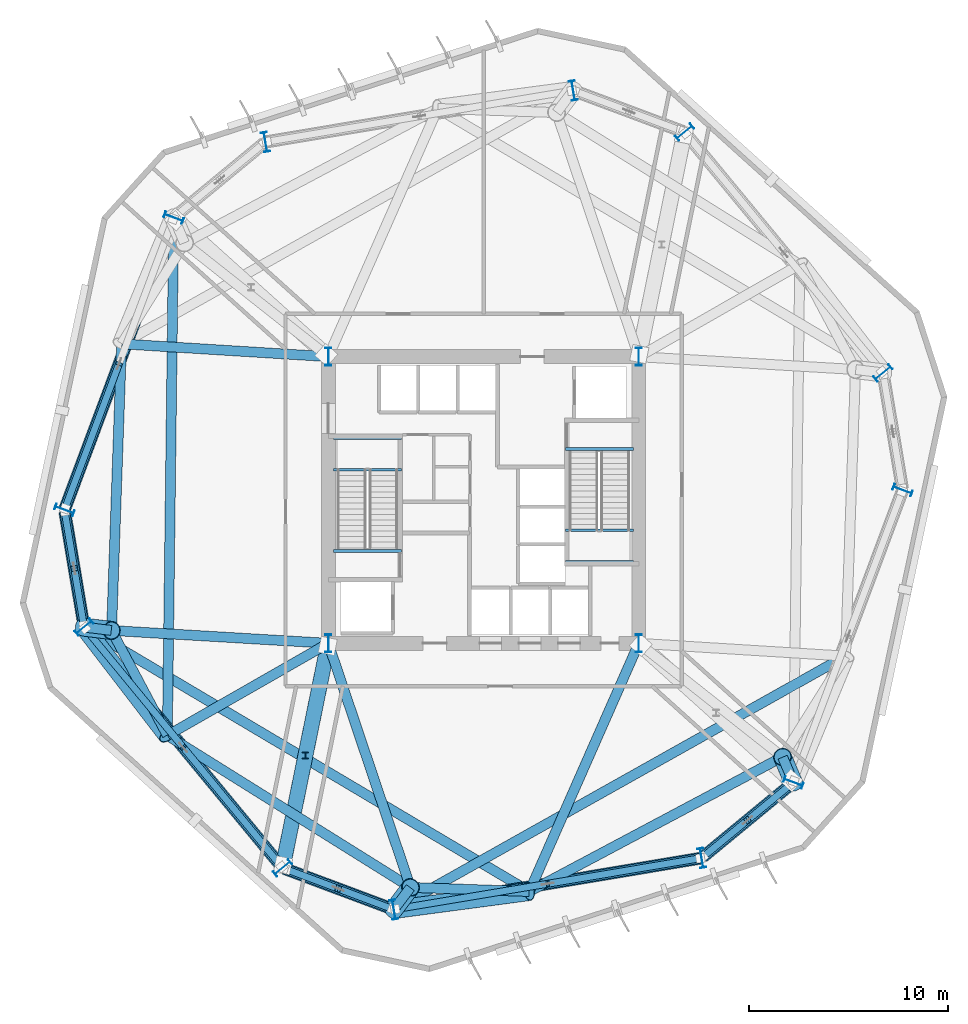
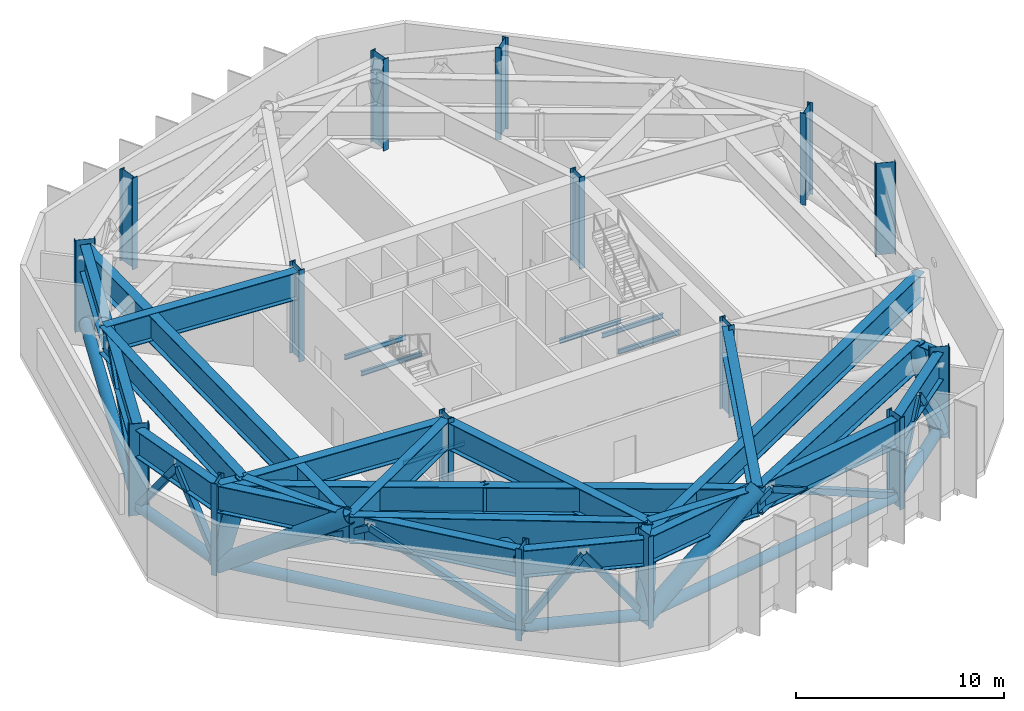
# One storey, part 1 of 12: 28 beams, 24 members, 16 columns.
"""IFC4 building model written with IfcOpenShell, lengths in metres."""

import ifcopenshell
import ifcopenshell.guid

model = None  # the IFC model being written
_history = None  # IfcOwnerHistory: only IFC2X3 demands one
_inside = {}  # id of a spatial element -> (the spatial element, [elements in it])
_under = {}  # id of a project, library or spatial element -> (it, [spatial elements below it])
_declared = {}  # id of a project -> (the project, [libraries it declares])
_typed = {}  # id of a type object -> (the type object, [elements of that type])
_made_of = {}  # id of a material, layer set ... -> (it, [elements and type objects made of it])


def new_model(schema):
    """Start an empty IFC model of exactly this schema.

    Asked for "IFC4X3", IfcOpenShell would pick the latest addendum, in which some entities
    have other attributes; the version numbers below select the first issue.
    IFC2X3 requires an IfcOwnerHistory on every rooted entity: one is made here for all.
    """
    global model, _history
    if schema == "IFC4X3":
        model = ifcopenshell.file(schema_version=(4, 3, 0, 0))
    else:
        model = ifcopenshell.file(schema=schema)
    _inside.clear()
    _under.clear()
    _declared.clear()
    _typed.clear()
    _made_of.clear()
    _history = None
    if model.schema == "IFC2X3":
        org = make("IfcOrganization", Name="unknown")
        user = make(
            "IfcPersonAndOrganization",
            ThePerson=make("IfcPerson", FamilyName="unknown"),
            TheOrganization=org,
        )
        app = make(
            "IfcApplication",
            ApplicationDeveloper=org,
            Version="unknown",
            ApplicationFullName="unknown",
            ApplicationIdentifier="unknown",
        )
        _history = make(
            "IfcOwnerHistory",
            OwningUser=user,
            OwningApplication=app,
            ChangeAction="ADDED",
            CreationDate=0,
        )
    return model


def make(cls, **values):
    """One entity of the class cls with the attributes given. An attribute that is None is left unset."""
    return model.create_entity(
        cls, **{name: value for name, value in values.items() if value is not None}
    )


def rooted(cls, **values):
    """An entity with a GlobalId (a new one), such as an element, a storey or a relation."""
    return make(cls, GlobalId=ifcopenshell.guid.new(), OwnerHistory=_history, **values)


def si_unit(unit_type, name, prefix=None):
    """IfcSIUnit, for example si_unit("LENGTHUNIT", "METRE", prefix="MILLI")."""
    return make("IfcSIUnit", UnitType=unit_type, Prefix=prefix, Name=name)


def assignment(units):
    """IfcUnitAssignment: the units of a project."""
    return None if units is None else make("IfcUnitAssignment", Units=units)


def point(xyz):
    """IfcCartesianPoint."""
    return None if xyz is None else make("IfcCartesianPoint", Coordinates=xyz)


def direction(xyz):
    """IfcDirection."""
    return None if xyz is None else make("IfcDirection", DirectionRatios=xyz)


def frame(location, z_axis=None, x_axis=None):
    """IfcAxis2Placement3D, a coordinate frame: its origin and axes. An axis left out is left unset."""
    return make(
        "IfcAxis2Placement3D",
        Location=point(location),
        Axis=direction(z_axis),
        RefDirection=direction(x_axis),
    )


def frame_2d(location, x_axis=None):
    """IfcAxis2Placement2D, a coordinate frame in the plane: its origin and x axis."""
    return make(
        "IfcAxis2Placement2D", Location=point(location), RefDirection=direction(x_axis)
    )


def origin():
    """The frame at (0, 0, 0) with its axes left unset."""
    return frame((0.0, 0.0, 0.0))


def origin_2d():
    """The frame at (0, 0) in the plane with its x axis left unset."""
    return frame_2d((0.0, 0.0))


def place(relative_to, where):
    """IfcLocalPlacement: puts the frame where relative to a parent placement (None: the world)."""
    return make(
        "IfcLocalPlacement", PlacementRelTo=relative_to, RelativePlacement=where
    )


def context(
    kind, dimensions, precision=None, world=None, true_north=None, identifier=None
):
    """IfcGeometricRepresentationContext, for example the 3D "Model" context."""
    return make(
        "IfcGeometricRepresentationContext",
        ContextIdentifier=identifier,
        ContextType=kind,
        CoordinateSpaceDimension=dimensions,
        Precision=precision,
        WorldCoordinateSystem=world,
        TrueNorth=true_north,
    )


def subcontext(parent, identifier, kind, view, scale=None):
    """IfcGeometricRepresentationSubContext, for example "Body" below "Model"."""
    return make(
        "IfcGeometricRepresentationSubContext",
        ContextIdentifier=identifier,
        ContextType=kind,
        ParentContext=parent,
        TargetScale=scale,
        TargetView=view,
    )


def project(units=None, contexts=None):
    """IfcProject with its units and contexts."""
    return rooted(
        "IfcProject",
        Name="project",
        RepresentationContexts=contexts,
        UnitsInContext=assignment(units),
    )


def spatial(cls, under=None, at=None, **own):
    """A site, building, storey or space (cls), placed at a placement, below another one or the project."""
    s = rooted(cls, ObjectPlacement=at, **own)
    if under is not None:
        _under.setdefault(under.id(), (under, []))[1].append(s)
    return s


def profile(cls, at=None, kind="AREA", **sizes):
    """A parametric profile (cls). Its sizes go by their IFC names, for example OverallWidth=200.0."""
    return make(cls, ProfileType=kind, Position=at, **sizes)


def hollow_rectangle(**sizes):
    """IfcRectangleHollowProfileDef."""
    return profile("IfcRectangleHollowProfileDef", **sizes)


def hollow_circle(**sizes):
    """IfcCircleHollowProfileDef."""
    return profile("IfcCircleHollowProfileDef", **sizes)


def i_section(**sizes):
    """IfcIShapeProfileDef."""
    return profile("IfcIShapeProfileDef", **sizes)


def extrude(swept, where, along, depth):
    """IfcExtrudedAreaSolid: the profile swept, set in the frame where, extruded along a direction by depth."""
    return make(
        "IfcExtrudedAreaSolid",
        SweptArea=swept,
        Position=where,
        ExtrudedDirection=direction(along),
        Depth=depth,
    )


def shape(context_of_items, identifier, shape_type, items):
    """IfcShapeRepresentation: the items that make up one representation, for example the "Body"."""
    return make(
        "IfcShapeRepresentation",
        ContextOfItems=context_of_items,
        RepresentationIdentifier=identifier,
        RepresentationType=shape_type,
        Items=items,
    )


def material(Name=None, Category=None):
    """IfcMaterial."""
    return make("IfcMaterial", Name=Name, Category=Category)


def material_profile(
    of_material, cross_section, Name=None, Category=None, Priority=None
):
    """IfcMaterialProfile: a cross section and its material."""
    return make(
        "IfcMaterialProfile",
        Name=Name,
        Material=of_material,
        Profile=cross_section,
        Priority=Priority,
        Category=Category,
    )


def profile_set(profiles, Name=None, composite=None):
    """IfcMaterialProfileSet."""
    return make(
        "IfcMaterialProfileSet",
        Name=Name,
        MaterialProfiles=profiles,
        CompositeProfile=composite,
    )


def made_of(thing, what):
    """Note that an element or type object is made of a material, layer set ...; save() writes the relation."""
    if what is not None:
        _made_of.setdefault(what.id(), (what, []))[1].append(thing)
    return thing


def type_object(cls, material=None, **own):
    """A type object (cls), such as IfcWallType, which elements share."""
    return made_of(rooted(cls, **own), material)


def element(
    cls,
    number,
    at=None,
    inside=None,
    cuts=None,
    type_object=None,
    material=None,
    context=None,
    identifier="Body",
    shape_type=None,
    held_by="IfcProductDefinitionShape",
    body=None,
    shapes=None,
    **own,
):
    """One element of the class cls, such as IfcWall. Its Tag is "e" and its number.

    at: its placement. inside: the storey or other place that contains it. cuts: it is an
    opening in that element (IfcRelVoidsElement). A single representation is given by context,
    identifier, shape_type and body (its items); several are given by shapes. held_by: the class
    of the entity that holds the representations. save() writes the other relations.
    """
    e = rooted(cls, Tag="e%d" % number, ObjectPlacement=at, **own)
    if body is not None:
        shapes = [shape(context, identifier, shape_type, body)]
    if shapes is not None:
        e.Representation = make(held_by, Representations=shapes)
    if inside is not None:
        _inside.setdefault(inside.id(), (inside, []))[1].append(e)
    if cuts is not None:
        rooted(
            "IfcRelVoidsElement", RelatingBuildingElement=cuts, RelatedOpeningElement=e
        )
    if type_object is not None:
        _typed.setdefault(type_object.id(), (type_object, []))[1].append(e)
    return made_of(e, material)


def aggregate(whole, parts):
    """IfcRelAggregates: a whole, such as a stair, and the parts it consists of."""
    return rooted("IfcRelAggregates", RelatingObject=whole, RelatedObjects=parts)


def save(model, path):
    """Write the relations noted so far, then the file.

    IfcRelAggregates (storeys below a building ...), IfcRelContainedInSpatialStructure (elements
    in a storey), IfcRelDefinesByType, IfcRelAssociatesMaterial and IfcRelDeclares: one each for
    every whole, place, type object, material and project.
    """
    for whole, parts in _under.values():
        aggregate(whole, parts)
    for where, things in _inside.values():
        rooted(
            "IfcRelContainedInSpatialStructure",
            RelatedElements=things,
            RelatingStructure=where,
        )
    for kind, things in _typed.values():
        rooted("IfcRelDefinesByType", RelatedObjects=things, RelatingType=kind)
    for what, things in _made_of.values():
        rooted("IfcRelAssociatesMaterial", RelatedObjects=things, RelatingMaterial=what)
    for by, libraries in _declared.values():
        rooted("IfcRelDeclares", RelatingContext=by, RelatedDefinitions=libraries)
    model.write(path)


model = new_model("IFC4")

# Units and contexts
model_context = context("Model", 3, precision=1e-05, world=origin(), true_north=direction((0.0, 1.0)))
body_context = subcontext(model_context, "Body", "Model", "MODEL_VIEW")
ifc_project = project(units=[si_unit("LENGTHUNIT", "METRE"), si_unit("AREAUNIT", "SQUARE_METRE"), si_unit("VOLUMEUNIT", "CUBIC_METRE"), si_unit("PLANEANGLEUNIT", "RADIAN"), si_unit("MASSUNIT", "GRAM", prefix="KILO")], contexts=[model_context])

# Site, building, storey
site_placement = place(None, origin())
site = spatial("IfcSite", under=ifc_project, at=site_placement, CompositionType="ELEMENT")
building_placement = place(site_placement, origin())
building = spatial("IfcBuilding", under=site, at=building_placement, Name="Kranzbogen Civic Tower", CompositionType="ELEMENT")
storey_placement = place(building_placement, frame((0.0, 0.0, 92.0)))
storey = spatial("IfcBuildingStorey", under=building, at=storey_placement, Name="L22", CompositionType="ELEMENT", Elevation=92.0)

# Columns
ifc_material_1 = material(Name="Steel S355", Category="steel")
ifc_material_profile_1 = material_profile(ifc_material_1, i_section(OverallWidth=0.300048828125, OverallDepth=1.0, WebThickness=0.01904296875, FlangeThickness=0.035888671875, at=origin_2d()), Name="HEB 1000")
ifc_profile_set_1 = profile_set([ifc_material_profile_1], Name="Steel S355")
column_type_1 = type_object("IfcColumnType", Name="Structural Column HEB 1000", PredefinedType="COLUMN", material=ifc_profile_set_1)
for number, where, z_axis, x_axis, name in (
    (1, (45.072021484375, 31.385986328125, 0.0), (0.0, 0.0, 1.0), (-0.636078220278, 0.771624583388, 0.0), "L22 tower perimeter tube column 01"),
    (2, (35.09912109375, 43.48388671875, 0.0), (0.0, 0.0, 1.0), (-0.636078220278, 0.771624583388, 0.0), "L22 tower perimeter tube column 02"),
    (3, (29.5048828125, 45.575927734375, 0.0), (0.0, 0.0, 1.0), (0.986285601537, 0.165047605861, 0.0), "L22 tower perimeter tube column 03"),
    (4, (14.0419921875, 42.988037109375, 0.0), (0.0, 0.0, 1.0), (0.986285601537, 0.165047605861, 0.0), "L22 tower perimeter tube column 04"),
    (5, (9.43310546875, 39.18896484375, 0.0), (0.0, 0.0, 1.0), (0.350207381259, 0.936672189248, 0.0), "L22 tower perimeter tube column 05"),
    (6, (3.943115234375, 24.50390625, 0.0), (0.0, 0.0, 1.0), (0.350207381259, 0.936672189248, 0.0), "L22 tower perimeter tube column 06"),
    (7, (4.927978515625, 18.614013671875, 0.0), (0.0, 0.0, 1.0), (-0.636078220278, 0.771624583388, 0.0), "L22 tower perimeter tube column 07"),
    (8, (14.90087890625, 6.51611328125, 0.0), (0.0, 0.0, 1.0), (-0.636078220278, 0.771624583388, 0.0), "L22 tower perimeter tube column 08"),
    (9, (20.4951171875, 4.424072265625, 0.0), (0.0, 0.0, 1.0), (0.986285601537, 0.165047605861, 0.0), "L22 tower perimeter tube column 09"),
    (10, (35.9580078125, 7.011962890625, 0.0), (0.0, 0.0, 1.0), (0.986285601537, 0.165047605861, 0.0), "L22 tower perimeter tube column 10"),
    (11, (40.56689453125, 10.81103515625, 0.0), (0.0, 0.0, 1.0), (0.350207381259, 0.936672189248, 0.0), "L22 tower perimeter tube column 11"),
    (12, (46.056884765625, 25.49609375, 0.0), (0.0, 0.0, 1.0), (0.350207381259, 0.936672189248, 0.0), "L22 tower perimeter tube column 12"),
):
    element("IfcColumn", number, at=place(storey_placement, frame(where, z_axis=z_axis, x_axis=x_axis)), inside=storey, type_object=column_type_1, Name=name, PredefinedType="COLUMN", context=body_context, shape_type="SweptSolid", body=[
        extrude(i_section(OverallWidth=0.300048828125, OverallDepth=1.0, WebThickness=0.01904296875, FlangeThickness=0.035888671875, at=origin_2d()), origin(), (0.0, 0.0, 1.0), 5.39990234375),
    ])
ifc_material_2 = material(Name="Steel S460", Category="steel")
ifc_material_profile_2 = material_profile(ifc_material_2, i_section(OverallWidth=0.302001953125, OverallDepth=0.909912109375, WebThickness=0.02099609375, FlangeThickness=0.0400390625, at=origin_2d()), Name="HEM 900")
ifc_profile_set_2 = profile_set([ifc_material_profile_2], Name="Steel S460")
column_type_2 = type_object("IfcColumnType", Name="Structural Column HEM 900", PredefinedType="COLUMN", material=ifc_profile_set_2)
for number, where, z_axis, x_axis, name in (
    (13, (17.199951171875, 17.800048828125, 0.0), (0.0, 0.0, 1.0), (1.0, 0.0, 0.0), "L22 composite core corner column 1"),
    (14, (32.800048828125, 17.800048828125, 0.0), (0.0, 0.0, 1.0), (1.0, 0.0, 0.0), "L22 composite core corner column 2"),
    (15, (32.800048828125, 32.199951171875, 0.0), (0.0, 0.0, 1.0), (1.0, 0.0, 0.0), "L22 composite core corner column 3"),
    (16, (17.199951171875, 32.199951171875, 0.0), (0.0, 0.0, 1.0), (1.0, 0.0, 0.0), "L22 composite core corner column 4"),
):
    element("IfcColumn", number, at=place(storey_placement, frame(where, z_axis=z_axis, x_axis=x_axis)), inside=storey, type_object=column_type_2, Name=name, PredefinedType="COLUMN", context=body_context, shape_type="SweptSolid", body=[
        extrude(i_section(OverallWidth=0.302001953125, OverallDepth=0.909912109375, WebThickness=0.02099609375, FlangeThickness=0.0400390625, at=origin_2d()), origin(), (0.0, 0.0, 1.0), 5.39990234375),
    ])

# Members
ifc_material_profile_3 = material_profile(ifc_material_1, hollow_circle(Radius=0.304931640625, WallThickness=0.030029296875, at=origin_2d()), Name="CHS 610x30")
ifc_profile_set_3 = profile_set([ifc_material_profile_3], Name="Steel S355")
member_type_1 = type_object("IfcMemberType", Name="Belt Truss Bottom Chord CHS 610x30", PredefinedType="CHORD", material=ifc_profile_set_3)
member_1_placement = place(storey_placement, frame((3.9560546875, 24.425048828125, 0.550048828125), z_axis=(0.165012062513, -0.986291548795, 0.0), x_axis=(0.986291548795, 0.165012062513, 0.0)))
element("IfcMember", 17, at=member_1_placement, inside=storey, type_object=member_type_1, Name="RNG-1: L22 belt truss bottom chord 01", PredefinedType="CHORD", context=body_context, shape_type="SweptSolid", body=[
    extrude(hollow_circle(Radius=0.304931640625, WallThickness=0.030029296875, at=origin_2d()), origin(), (0.0, 0.0, 1.0), 5.8115234375),
])
member_2_placement = place(storey_placement, frame((4.97900390625, 18.552001953125, 0.550048828125), z_axis=(0.636093185321, -0.771612246914, 0.0), x_axis=(0.771612246914, 0.636093185321, 0.0)))
element("IfcMember", 18, at=member_2_placement, inside=storey, type_object=member_type_1, Name="RNG-1: L22 belt truss bottom chord 02", PredefinedType="CHORD", context=body_context, shape_type="SweptSolid", body=[
    extrude(hollow_circle(Radius=0.304931640625, WallThickness=0.030029296875, at=origin_2d()), origin(), (0.0, 0.0, 1.0), 15.518310546875),
])
member_3_placement = place(storey_placement, frame((14.97607421875, 6.488037109375, 0.550048828125), z_axis=(0.936629200045, -0.350322339599, 0.0), x_axis=(0.350322339599, 0.936629200045, 0.0)))
element("IfcMember", 19, at=member_3_placement, inside=storey, type_object=member_type_1, Name="RNG-1: L22 belt truss bottom chord 03", PredefinedType="CHORD", context=body_context, shape_type="SweptSolid", body=[
    extrude(hollow_circle(Radius=0.304931640625, WallThickness=0.030029296875, at=origin_2d()), origin(), (0.0, 0.0, 1.0), 5.812255859375),
])
member_4_placement = place(storey_placement, frame((20.573974609375, 4.43701171875, 0.550048828125), z_axis=(0.986276740958, 0.165100545863, 0.0), x_axis=(-0.165100545863, 0.986276740958, 0.0)))
element("IfcMember", 20, at=member_4_placement, inside=storey, type_object=member_type_1, Name="RNG-1: L22 belt truss bottom chord 04", PredefinedType="CHORD", context=body_context, shape_type="SweptSolid", body=[
    extrude(hollow_circle(Radius=0.304931640625, WallThickness=0.030029296875, at=origin_2d()), origin(), (0.0, 0.0, 1.0), 15.517822265625),
])
member_5_placement = place(storey_placement, frame((36.02001953125, 7.06298828125, 0.550048828125), z_axis=(0.771625808158, 0.636076734509, 0.0), x_axis=(-0.636076734509, 0.771625808158, 0.0)))
element("IfcMember", 21, at=member_5_placement, inside=storey, type_object=member_type_1, Name="RNG-1: L22 belt truss bottom chord 05", PredefinedType="CHORD", context=body_context, shape_type="SweptSolid", body=[
    extrude(hollow_circle(Radius=0.304931640625, WallThickness=0.030029296875, at=origin_2d()), origin(), (0.0, 0.0, 1.0), 5.812255859375),
])
member_6_placement = place(storey_placement, frame((9.405029296875, 39.114013671875, 0.550048828125), z_axis=(-0.350190480127, -0.936678508149, 0.0), x_axis=(0.936678508149, -0.350190480127, 0.0)))
element("IfcMember", 22, at=member_6_placement, inside=storey, type_object=member_type_1, Name="RNG-1: L22 belt truss bottom chord 12", PredefinedType="CHORD", context=body_context, shape_type="SweptSolid", body=[
    extrude(hollow_circle(Radius=0.304931640625, WallThickness=0.030029296875, at=origin_2d()), origin(), (0.0, 0.0, 1.0), 15.517578125),
])
ifc_material_profile_4 = material_profile(ifc_material_2, hollow_circle(Radius=0.381103515625, WallThickness=0.031982421875, at=origin_2d()), Name="CHS 762x32")
ifc_profile_set_4 = profile_set([ifc_material_profile_4], Name="Steel S460")
member_type_2 = type_object("IfcMemberType", Name="Outrigger Truss Chord CHS 762x32", PredefinedType="CHORD", material=ifc_profile_set_4)
member_7_placement = place(storey_placement, frame((17.169921875, 17.653076171875, 0.550048828125), z_axis=(-0.188609582303, -0.925772581764, 0.327675986788), x_axis=(0.979871108222, -0.199631188126, 0.0)))
element("IfcMember", 23, at=member_7_placement, inside=storey, type_object=member_type_2, Name="OUT-1: L22 radial outrigger strut 1", PredefinedType="CHORD", context=body_context, shape_type="SweptSolid", body=[
    extrude(hollow_circle(Radius=0.381103515625, WallThickness=0.031982421875, at=origin_2d()), origin(), (0.0, 0.0, 1.0), 11.87109375),
])
ifc_material_profile_5 = material_profile(ifc_material_1, i_section(OverallWidth=0.31005859375, OverallDepth=0.340087890625, WebThickness=0.02099609375, FlangeThickness=0.0390625, at=origin_2d()), Name="HEM 300")
ifc_profile_set_5 = profile_set([ifc_material_profile_5], Name="Steel S355")
member_type_3 = type_object("IfcMemberType", Name="Outrigger Truss Vertical Post HEM 300", PredefinedType="POST", material=ifc_profile_set_5)
member_8_placement = place(storey_placement, frame((16.050048828125, 12.157958984375, 0.550048828125), z_axis=(0.0, 0.0, 1.0), x_axis=(1.0, 0.0, 0.0)))
element("IfcMember", 24, at=member_8_placement, inside=storey, type_object=member_type_3, Name="PST-3: L22 outrigger web post 1", PredefinedType="POST", context=body_context, shape_type="SweptSolid", body=[
    extrude(i_section(OverallWidth=0.31005859375, OverallDepth=0.340087890625, WebThickness=0.02099609375, FlangeThickness=0.0390625, at=origin_2d()), origin(), (0.0, 0.0, 1.0), 4.58984375),
])
ifc_material_profile_6 = material_profile(ifc_material_2, hollow_circle(Radius=0.45703125, WallThickness=0.035888671875, at=origin_2d()), Name="CHS 914x36")
ifc_profile_set_6 = profile_set([ifc_material_profile_6], Name="Steel S460")
member_type_4 = type_object("IfcMemberType", Name="Portal Arch Thrust Strut CHS 914x36", PredefinedType="STRUT", material=ifc_profile_set_6)
member_9_placement = place(storey_placement, frame((4.927978515625, 18.614013671875, 0.35009765625), z_axis=(0.282501266779, -0.034732535184, 0.958637932312), x_axis=(0.122027659988, 0.992526699992, 0.0)))
element("IfcMember", 25, at=member_9_placement, inside=storey, type_object=member_type_4, Name="STR-1: L22 inclined perimeter transfer strut 01", PredefinedType="STRUT", context=body_context, shape_type="SweptSolid", body=[
    extrude(hollow_circle(Radius=0.45703125, WallThickness=0.035888671875, at=origin_2d()), origin(), (0.0, 0.0, 1.0), 4.892333984375),
])
member_10_placement = place(storey_placement, frame((4.927978515625, 18.614013671875, 0.35009765625), z_axis=(0.503407307843, -0.654582172423, 0.564006437867), x_axis=(0.792692714402, 0.609621407542, 0.0)))
element("IfcMember", 26, at=member_10_placement, inside=storey, type_object=member_type_4, Name="STR-1: L22 inclined perimeter transfer strut 02", PredefinedType="STRUT", context=body_context, shape_type="SweptSolid", body=[
    extrude(hollow_circle(Radius=0.45703125, WallThickness=0.035888671875, at=origin_2d()), origin(), (0.0, 0.0, 1.0), 8.3154296875),
])
member_11_placement = place(storey_placement, frame((20.4951171875, 4.424072265625, 0.35009765625), z_axis=(0.171076500815, 0.227270240582, 0.958687158887), x_axis=(-0.798946138896, 0.601402583253, 0.0)))
element("IfcMember", 27, at=member_11_placement, inside=storey, type_object=member_type_4, Name="STR-1: L22 inclined perimeter transfer strut 03", PredefinedType="STRUT", context=body_context, shape_type="SweptSolid", body=[
    extrude(hollow_circle(Radius=0.45703125, WallThickness=0.035888671875, at=origin_2d()), origin(), (0.0, 0.0, 1.0), 4.89208984375),
])
member_12_placement = place(storey_placement, frame((20.4951171875, 4.424072265625, 0.35009765625), z_axis=(0.818547699312, 0.108701208267, 0.564060024529), x_axis=(-0.131641952697, 0.991297329912, 0.0)))
element("IfcMember", 28, at=member_12_placement, inside=storey, type_object=member_type_4, Name="STR-1: L22 inclined perimeter transfer strut 04", PredefinedType="STRUT", context=body_context, shape_type="SweptSolid", body=[
    extrude(hollow_circle(Radius=0.45703125, WallThickness=0.035888671875, at=origin_2d()), origin(), (0.0, 0.0, 1.0), 8.314697265625),
])
member_13_placement = place(storey_placement, frame((40.56689453125, 10.81103515625, 0.35009765625), z_axis=(-0.111189066911, 0.261853246894, 0.958681317483), x_axis=(-0.920455591594, -0.39084716182, 0.0)))
element("IfcMember", 29, at=member_13_placement, inside=storey, type_object=member_type_4, Name="STR-1: L22 inclined perimeter transfer strut 05", PredefinedType="STRUT", context=body_context, shape_type="SweptSolid", body=[
    extrude(hollow_circle(Radius=0.45703125, WallThickness=0.035888671875, at=origin_2d()), origin(), (0.0, 0.0, 1.0), 4.89208984375),
])

# Beams
ifc_material_profile_7 = material_profile(ifc_material_1, i_section(OverallWidth=0.135009765625, OverallDepth=0.27001953125, WebThickness=0.006591796875, FlangeThickness=0.01025390625, at=origin_2d()), Name="IPE 270")
ifc_profile_set_7 = profile_set([ifc_material_profile_7], Name="Steel S355")
beam_type_1 = type_object("IfcBeamType", Name="Stair Landing Support Beam IPE 270", PredefinedType="JOIST", material=ifc_profile_set_7)
for number, where, z_axis, x_axis, name in (
    (30, (20.8798828125, 22.43994140625, -0.43505859375), (-1.0, 0.0, 0.0), (0.0, -1.0, 0.0), "L22 ST-T1 stair floor header beam"),
    (31, (20.8798828125, 26.52001953125, 2.364990234375), (-1.0, 0.0, 0.0), (0.0, -1.0, 0.0), "L22 ST-T1 landing support beam 1.1"),
    (32, (20.8798828125, 28.10009765625, 2.364990234375), (-1.0, 0.0, 0.0), (0.0, -1.0, 0.0), "L22 ST-T1 landing support beam 1.2"),
    (33, (29.1201171875, 27.56005859375, -0.43505859375), (1.0, 0.0, 0.0), (0.0, 1.0, 0.0), "L22 ST-T2 stair floor header beam"),
    (34, (29.1201171875, 23.47998046875, 2.364990234375), (1.0, 0.0, 0.0), (0.0, 1.0, 0.0), "L22 ST-T2 landing support beam 1.1"),
    (35, (29.1201171875, 21.89990234375, 2.364990234375), (1.0, 0.0, 0.0), (0.0, 1.0, 0.0), "L22 ST-T2 landing support beam 1.2"),
):
    element("IfcBeam", number, at=place(storey_placement, frame(where, z_axis=z_axis, x_axis=x_axis)), inside=storey, type_object=beam_type_1, Name=name, PredefinedType="JOIST", context=body_context, shape_type="SweptSolid", body=[
        extrude(i_section(OverallWidth=0.135009765625, OverallDepth=0.27001953125, WebThickness=0.006591796875, FlangeThickness=0.01025390625, at=origin_2d()), origin(), (0.0, 0.0, 1.0), 3.409912109375),
    ])
ifc_material_profile_8 = material_profile(ifc_material_2, i_section(OverallWidth=0.5, OverallDepth=1.60009765625, WebThickness=0.02587890625, FlangeThickness=0.0400390625, at=origin_2d()), Name="WPG 1600x500x26x40")
ifc_profile_set_8 = profile_set([ifc_material_profile_8], Name="Steel S460")
beam_type_2 = type_object("IfcBeamType", Name="Welded Transfer Girder WPG 1600x500x26x40", PredefinedType="BEAM", material=ifc_profile_set_8)
beam_1_placement = place(storey_placement, frame((3.952880859375, 24.445068359375, 4.330078125), z_axis=(0.164913116942, -0.986308097838, 0.0), x_axis=(0.986308097838, 0.164913116942, 0.0)))
element("IfcBeam", 36, at=beam_1_placement, inside=storey, type_object=beam_type_2, Name="TG-1600: L22 lower perimeter transfer ring girder 01", PredefinedType="BEAM", context=body_context, shape_type="SweptSolid", body=[
    extrude(i_section(OverallWidth=0.5, OverallDepth=1.60009765625, WebThickness=0.02587890625, FlangeThickness=0.0400390625, at=origin_2d()), origin(), (0.0, 0.0, 1.0), 5.85205078125),
])
beam_2_placement = place(storey_placement, frame((4.966064453125, 18.568115234375, 4.330078125), z_axis=(0.636074572579, -0.771627590304, 0.0), x_axis=(0.771627590304, 0.636074572579, 0.0)))
element("IfcBeam", 37, at=beam_2_placement, inside=storey, type_object=beam_type_2, Name="TG-1600: L22 lower perimeter transfer ring girder 02", PredefinedType="BEAM", context=body_context, shape_type="SweptSolid", body=[
    extrude(i_section(OverallWidth=0.5, OverallDepth=1.60009765625, WebThickness=0.02587890625, FlangeThickness=0.0400390625, at=origin_2d()), origin(), (0.0, 0.0, 1.0), 15.5595703125),
])
beam_3_placement = place(storey_placement, frame((14.95703125, 6.4951171875, 4.330078125), z_axis=(0.936647646965, -0.350273015568, 0.0), x_axis=(0.350273015568, 0.936647646965, 0.0)))
element("IfcBeam", 38, at=beam_3_placement, inside=storey, type_object=beam_type_2, Name="TG-1600: L22 lower perimeter transfer ring girder 03", PredefinedType="BEAM", context=body_context, shape_type="SweptSolid", body=[
    extrude(i_section(OverallWidth=0.5, OverallDepth=1.60009765625, WebThickness=0.02587890625, FlangeThickness=0.0400390625, at=origin_2d()), origin(), (0.0, 0.0, 1.0), 5.852783203125),
])
beam_4_placement = place(storey_placement, frame((20.553955078125, 4.43408203125, 4.330078125), z_axis=(0.986285563243, 0.165047834697, 0.0), x_axis=(-0.165047834697, 0.986285563243, 0.0)))
element("IfcBeam", 39, at=beam_4_placement, inside=storey, type_object=beam_type_2, Name="TG-1600: L22 lower perimeter transfer ring girder 04", PredefinedType="BEAM", context=body_context, shape_type="SweptSolid", body=[
    extrude(i_section(OverallWidth=0.5, OverallDepth=1.60009765625, WebThickness=0.02587890625, FlangeThickness=0.0400390625, at=origin_2d()), origin(), (0.0, 0.0, 1.0), 15.558349609375),
])
beam_5_placement = place(storey_placement, frame((36.00390625, 7.050048828125, 4.330078125), z_axis=(0.77168336865, 0.636006901337, 0.0), x_axis=(-0.636006901337, 0.77168336865, 0.0)))
element("IfcBeam", 40, at=beam_5_placement, inside=storey, type_object=beam_type_2, Name="TG-1600: L22 lower perimeter transfer ring girder 05", PredefinedType="BEAM", context=body_context, shape_type="SweptSolid", body=[
    extrude(i_section(OverallWidth=0.5, OverallDepth=1.60009765625, WebThickness=0.02587890625, FlangeThickness=0.0400390625, at=origin_2d()), origin(), (0.0, 0.0, 1.0), 5.853515625),
])
beam_6_placement = place(storey_placement, frame((9.412109375, 39.133056640625, 4.330078125), z_axis=(-0.350172267932, -0.936685316833, 0.0), x_axis=(0.936685316833, -0.350172267932, 0.0)))
element("IfcBeam", 41, at=beam_6_placement, inside=storey, type_object=beam_type_2, Name="TG-1600: L22 lower perimeter transfer ring girder 12", PredefinedType="BEAM", context=body_context, shape_type="SweptSolid", body=[
    extrude(i_section(OverallWidth=0.5, OverallDepth=1.60009765625, WebThickness=0.02587890625, FlangeThickness=0.0400390625, at=origin_2d()), origin(), (0.0, 0.0, 1.0), 15.55810546875),
])
beam_7_placement = place(storey_placement, frame((6.31689453125, 18.430908203125, 4.340087890625), z_axis=(0.46950463544, -0.882930007022, 0.0), x_axis=(0.882930007022, 0.46950463544, 0.0)))
element("IfcBeam", 42, at=beam_7_placement, inside=storey, type_object=beam_type_2, Name="TG-1600: L22 upper perimeter transfer ring girder 01", PredefinedType="BEAM", context=body_context, shape_type="SweptSolid", body=[
    extrude(i_section(OverallWidth=0.5, OverallDepth=1.60009765625, WebThickness=0.02587890625, FlangeThickness=0.0400390625, at=origin_2d()), origin(), (0.0, 0.0, 1.0), 5.942626953125),
])
beam_8_placement = place(storey_placement, frame((9.126953125, 13.1630859375, 4.340087890625), z_axis=(0.848027876815, -0.52995162057, 0.0), x_axis=(0.52995162057, 0.848027876815, 0.0)))
element("IfcBeam", 43, at=beam_8_placement, inside=storey, type_object=beam_type_2, Name="TG-1600: L22 upper perimeter transfer ring girder 02", PredefinedType="BEAM", context=body_context, shape_type="SweptSolid", body=[
    extrude(i_section(OverallWidth=0.5, OverallDepth=1.60009765625, WebThickness=0.02587890625, FlangeThickness=0.0400390625, at=origin_2d()), origin(), (0.0, 0.0, 1.0), 14.376953125),
])
beam_9_placement = place(storey_placement, frame((21.346923828125, 5.534912109375, 4.340087890625), z_axis=(0.999400080747, -0.034633489602, 0.0), x_axis=(0.034633489602, 0.999400080747, 0.0)))
element("IfcBeam", 44, at=beam_9_placement, inside=storey, type_object=beam_type_2, Name="TG-1600: L22 upper perimeter transfer ring girder 03", PredefinedType="BEAM", context=body_context, shape_type="SweptSolid", body=[
    extrude(i_section(OverallWidth=0.5, OverallDepth=1.60009765625, WebThickness=0.02587890625, FlangeThickness=0.0400390625, at=origin_2d()), origin(), (0.0, 0.0, 1.0), 5.942626953125),
])
for number, where, z_axis, x_axis, name in (
    (45, (27.31396484375, 5.3349609375, 4.340087890625), (0.882965086127, 0.469438661255, 0.0), (-0.469438661255, 0.882965086127, 0.0), "TG-1600: L22 upper perimeter transfer ring girder 04"),
    (46, (6.81201171875, 32.8291015625, 4.340087890625), (-0.034841218987, -0.999392860421, 0.0), (0.999392860421, -0.034841218987, 0.0), "TG-1600: L22 upper perimeter transfer ring girder 12"),
):
    element("IfcBeam", number, at=place(storey_placement, frame(where, z_axis=z_axis, x_axis=x_axis)), inside=storey, type_object=beam_type_2, Name=name, PredefinedType="BEAM", context=body_context, shape_type="SweptSolid", body=[
        extrude(i_section(OverallWidth=0.5, OverallDepth=1.60009765625, WebThickness=0.02587890625, FlangeThickness=0.0400390625, at=origin_2d()), origin(), (0.0, 0.0, 1.0), 14.37890625),
    ])
beam_10_placement = place(storey_placement, frame((17.139892578125, 17.803955078125, 4.340087890625), z_axis=(-0.998258172281, 0.058996792068, 0.0), x_axis=(-0.058996792068, -0.998258172281, 0.0)))
element("IfcBeam", 47, at=beam_10_placement, inside=storey, type_object=beam_type_2, Name="TG-1600: L22 radial column transfer girder 01", PredefinedType="BEAM", context=body_context, shape_type="SweptSolid", body=[
    extrude(i_section(OverallWidth=0.5, OverallDepth=1.60009765625, WebThickness=0.02587890625, FlangeThickness=0.0400390625, at=origin_2d()), origin(), (0.0, 0.0, 1.0), 10.833740234375),
])
beam_11_placement = place(storey_placement, frame((4.97802734375, 18.60791015625, 4.330078125), z_axis=(0.992530561469, -0.1219962481, 0.0), x_axis=(0.1219962481, 0.992530561469, 0.0)))
element("IfcBeam", 48, at=beam_11_placement, inside=storey, type_object=beam_type_2, Name="TG-1600: L22 perimeter column transfer girder 01", PredefinedType="BEAM", context=body_context, shape_type="SweptSolid", body=[
    extrude(i_section(OverallWidth=0.5, OverallDepth=1.60009765625, WebThickness=0.02587890625, FlangeThickness=0.0400390625, at=origin_2d()), origin(), (0.0, 0.0, 1.0), 1.326904296875),
])
beam_12_placement = place(storey_placement, frame((17.14794921875, 17.77001953125, 4.340087890625), z_axis=(-0.867841348452, -0.496841417272, 0.0), x_axis=(0.496841417272, -0.867841348452, 0.0)))
element("IfcBeam", 49, at=beam_12_placement, inside=storey, type_object=beam_type_2, Name="TG-1600: L22 radial column transfer girder 02", PredefinedType="BEAM", context=body_context, shape_type="SweptSolid", body=[
    extrude(i_section(OverallWidth=0.5, OverallDepth=1.60009765625, WebThickness=0.02587890625, FlangeThickness=0.0400390625, at=origin_2d()), origin(), (0.0, 0.0, 1.0), 9.242431640625),
])
beam_13_placement = place(storey_placement, frame((9.431884765625, 39.138916015625, 4.330078125), z_axis=(-0.012247089471, -0.999925001587, 0.0), x_axis=(0.999925001587, -0.012247089471, 0.0)))
element("IfcBeam", 50, at=beam_13_placement, inside=storey, type_object=beam_type_2, Name="TG-1600: L22 perimeter column transfer girder 02", PredefinedType="BEAM", context=body_context, shape_type="SweptSolid", body=[
    extrude(i_section(OverallWidth=0.5, OverallDepth=1.60009765625, WebThickness=0.02587890625, FlangeThickness=0.0400390625, at=origin_2d()), origin(), (0.0, 0.0, 1.0), 25.954833984375),
])
beam_14_placement = place(storey_placement, frame((17.218994140625, 17.742919921875, 4.340087890625), z_axis=(0.319277348638, -0.947661318535, 0.0), x_axis=(0.947661318535, 0.319277348638, 0.0)))
element("IfcBeam", 51, at=beam_14_placement, inside=storey, type_object=beam_type_2, Name="TG-1600: L22 radial column transfer girder 03", PredefinedType="BEAM", context=body_context, shape_type="SweptSolid", body=[
    extrude(i_section(OverallWidth=0.5, OverallDepth=1.60009765625, WebThickness=0.02587890625, FlangeThickness=0.0400390625, at=origin_2d()), origin(), (0.0, 0.0, 1.0), 12.8662109375),
])
beam_15_placement = place(storey_placement, frame((20.52490234375, 4.464111328125, 4.330078125), z_axis=(0.601559342856, 0.798828114817, 0.0), x_axis=(-0.798828114817, 0.601559342856, 0.0)))
element("IfcBeam", 52, at=beam_15_placement, inside=storey, type_object=beam_type_2, Name="TG-1600: L22 perimeter column transfer girder 03", PredefinedType="BEAM", context=body_context, shape_type="SweptSolid", body=[
    extrude(i_section(OverallWidth=0.5, OverallDepth=1.60009765625, WebThickness=0.02587890625, FlangeThickness=0.0400390625, at=origin_2d()), origin(), (0.0, 0.0, 1.0), 1.32666015625),
])
beam_16_placement = place(storey_placement, frame((32.77587890625, 17.7451171875, 4.340087890625), z_axis=(-0.403457952598, -0.914998186056, 0.0), x_axis=(0.914998186056, -0.403457952598, 0.0)))
element("IfcBeam", 53, at=beam_16_placement, inside=storey, type_object=beam_type_2, Name="TG-1600: L22 radial column transfer girder 04", PredefinedType="BEAM", context=body_context, shape_type="SweptSolid", body=[
    extrude(i_section(OverallWidth=0.5, OverallDepth=1.60009765625, WebThickness=0.02587890625, FlangeThickness=0.0400390625, at=origin_2d()), origin(), (0.0, 0.0, 1.0), 13.555419921875),
])
beam_17_placement = place(storey_placement, frame((4.970947265625, 18.587890625, 4.330078125), z_axis=(0.859835258342, -0.510571570411, 0.0), x_axis=(0.510571570411, 0.859835258342, 0.0)))
element("IfcBeam", 54, at=beam_17_placement, inside=storey, type_object=beam_type_2, Name="TG-1600: L22 perimeter column transfer girder 04", PredefinedType="BEAM", context=body_context, shape_type="SweptSolid", body=[
    extrude(i_section(OverallWidth=0.5, OverallDepth=1.60009765625, WebThickness=0.02587890625, FlangeThickness=0.0400390625, at=origin_2d()), origin(), (0.0, 0.0, 1.0), 25.955078125),
])
beam_18_placement = place(storey_placement, frame((40.547119140625, 10.85693359375, 4.330078125), z_axis=(-0.390606572646, 0.920557714326, 0.0), x_axis=(-0.920557714326, -0.390606572646, 0.0)))
element("IfcBeam", 55, at=beam_18_placement, inside=storey, type_object=beam_type_2, Name="TG-1600: L22 perimeter column transfer girder 05", PredefinedType="BEAM", context=body_context, shape_type="SweptSolid", body=[
    extrude(i_section(OverallWidth=0.5, OverallDepth=1.60009765625, WebThickness=0.02587890625, FlangeThickness=0.0400390625, at=origin_2d()), origin(), (0.0, 0.0, 1.0), 1.326416015625),
])
beam_19_placement = place(storey_placement, frame((20.5390625, 4.447998046875, 4.330078125), z_axis=(0.872089781605, 0.489345903039, 0.0), x_axis=(-0.489345903039, 0.872089781605, 0.0)))
element("IfcBeam", 56, at=beam_19_placement, inside=storey, type_object=beam_type_2, Name="TG-1600: L22 perimeter column transfer girder 06", PredefinedType="BEAM", context=body_context, shape_type="SweptSolid", body=[
    extrude(i_section(OverallWidth=0.5, OverallDepth=1.60009765625, WebThickness=0.02587890625, FlangeThickness=0.0400390625, at=origin_2d()), origin(), (0.0, 0.0, 1.0), 25.954833984375),
])
beam_20_placement = place(storey_placement, frame((17.139892578125, 32.2041015625, 4.340087890625), z_axis=(-0.998086085379, 0.061839842924, 0.0), x_axis=(-0.061839842924, -0.998086085379, 0.0)))
element("IfcBeam", 57, at=beam_20_placement, inside=storey, type_object=beam_type_2, Name="TG-1600: L22 radial column transfer girder 12", PredefinedType="BEAM", context=body_context, shape_type="SweptSolid", body=[
    extrude(i_section(OverallWidth=0.5, OverallDepth=1.60009765625, WebThickness=0.02587890625, FlangeThickness=0.0400390625, at=origin_2d()), origin(), (0.0, 0.0, 1.0), 10.331787109375),
])

# Members
ifc_material_profile_9 = material_profile(ifc_material_1, hollow_rectangle(XDim=0.35009765625, YDim=0.35009765625, WallThickness=0.02001953125, at=origin_2d()), Name="SHS 350x350x20")
ifc_profile_set_9 = profile_set([ifc_material_profile_9], Name="Steel S355")
member_type_5 = type_object("IfcMemberType", Name="Zone 1 Belt Truss Diagonal SHS 350x350x20", PredefinedType="BRACE", material=ifc_profile_set_9)
member_14_placement = place(storey_placement, frame((3.9560546875, 24.425048828125, 0.64990234375), z_axis=(0.099671097473, -0.595136832776, 0.79741947719), x_axis=(0.986264188032, 0.165175516967, 0.0)))
element("IfcMember", 58, at=member_14_placement, inside=storey, type_object=member_type_5, Name="DG-350: L22 belt truss diagonal 01A", PredefinedType="BRACE", context=body_context, shape_type="SweptSolid", body=[
    extrude(hollow_rectangle(XDim=0.35009765625, YDim=0.35009765625, WallThickness=0.02001953125, at=origin_2d()), origin(), (0.0, 0.0, 1.0), 4.815673828125),
])
member_15_placement = place(storey_placement, frame((4.9150390625, 18.693115234375, 0.64990234375), z_axis=(-0.09947031635, 0.595148849966, 0.797435578934), x_axis=(-0.986318883984, -0.164848594461, 0.0)))
element("IfcMember", 59, at=member_15_placement, inside=storey, type_object=member_type_5, Name="DG-350: L22 belt truss diagonal 01B", PredefinedType="BRACE", context=body_context, shape_type="SweptSolid", body=[
    extrude(hollow_rectangle(XDim=0.35009765625, YDim=0.35009765625, WallThickness=0.02001953125, at=origin_2d()), origin(), (0.0, 0.0, 1.0), 4.8154296875),
])
member_16_placement = place(storey_placement, frame((4.97900390625, 18.552001953125, 0.64990234375), z_axis=(0.57013298372, -0.691530871489, 0.443546428971), x_axis=(0.771581360267, 0.636130650486, 0.0)))
element("IfcMember", 60, at=member_16_placement, inside=storey, type_object=member_type_5, Name="DG-350: L22 belt truss diagonal 02A", PredefinedType="BRACE", context=body_context, shape_type="SweptSolid", body=[
    extrude(hollow_rectangle(XDim=0.35009765625, YDim=0.35009765625, WallThickness=0.02001953125, at=origin_2d()), origin(), (0.0, 0.0, 1.0), 8.65771484375),
])
member_17_placement = place(storey_placement, frame((14.85009765625, 6.577880859375, 0.64990234375), z_axis=(-0.57005684415, 0.691575343281, 0.443574953084), x_axis=(-0.771643134215, -0.636055715656, 0.0)))
element("IfcMember", 61, at=member_17_placement, inside=storey, type_object=member_type_5, Name="DG-350: L22 belt truss diagonal 02B", PredefinedType="BRACE", context=body_context, shape_type="SweptSolid", body=[
    extrude(hollow_rectangle(XDim=0.35009765625, YDim=0.35009765625, WallThickness=0.02001953125, at=origin_2d()), origin(), (0.0, 0.0, 1.0), 8.6572265625),
])
for number, where, z_axis, x_axis, name in (
    (62, (14.97607421875, 6.488037109375, 0.64990234375), (0.565210964872, -0.211402791597, 0.797399162837), (0.350322339599, 0.936629200045, 0.0), "DG-350: L22 belt truss diagonal 03A"),
    (63, (20.419921875, 4.451904296875, 0.64990234375), (-0.565210964872, 0.211402791597, 0.797399162837), (-0.350322339599, -0.936629200045, 0.0), "DG-350: L22 belt truss diagonal 03B"),
):
    element("IfcMember", number, at=place(storey_placement, frame(where, z_axis=z_axis, x_axis=x_axis)), inside=storey, type_object=member_type_5, Name=name, PredefinedType="BRACE", context=body_context, shape_type="SweptSolid", body=[
        extrude(hollow_rectangle(XDim=0.35009765625, YDim=0.35009765625, WallThickness=0.02001953125, at=origin_2d()), origin(), (0.0, 0.0, 1.0), 4.815673828125),
    ])
member_18_placement = place(storey_placement, frame((20.573974609375, 4.43701171875, 0.64990234375), z_axis=(0.883955580725, 0.147960408717, 0.443542837567), x_axis=(-0.165087737562, 0.986278884954, 0.0)))
element("IfcMember", 64, at=member_18_placement, inside=storey, type_object=member_type_5, Name="DG-350: L22 belt truss diagonal 04A", PredefinedType="BRACE", context=body_context, shape_type="SweptSolid", body=[
    extrude(hollow_rectangle(XDim=0.35009765625, YDim=0.35009765625, WallThickness=0.02001953125, at=origin_2d()), origin(), (0.0, 0.0, 1.0), 8.65771484375),
])
member_19_placement = place(storey_placement, frame((35.87890625, 6.9990234375, 0.64990234375), z_axis=(-0.883924750224, -0.147978851523, 0.443598123804), x_axis=(0.165113356124, -0.986274596464, 0.0)))
element("IfcMember", 65, at=member_19_placement, inside=storey, type_object=member_type_5, Name="DG-350: L22 belt truss diagonal 04B", PredefinedType="BRACE", context=body_context, shape_type="SweptSolid", body=[
    extrude(hollow_rectangle(XDim=0.35009765625, YDim=0.35009765625, WallThickness=0.02001953125, at=origin_2d()), origin(), (0.0, 0.0, 1.0), 8.65673828125),
])
member_20_placement = place(storey_placement, frame((36.02001953125, 7.06298828125, 0.64990234375), z_axis=(0.465698907121, 0.383934202954, 0.797319920552), x_axis=(-0.63611930579, 0.771590713268, 0.0)))
element("IfcMember", 66, at=member_20_placement, inside=storey, type_object=member_type_5, Name="DG-350: L22 belt truss diagonal 05A", PredefinedType="BRACE", context=body_context, shape_type="SweptSolid", body=[
    extrude(hollow_rectangle(XDim=0.35009765625, YDim=0.35009765625, WallThickness=0.02001953125, at=origin_2d()), origin(), (0.0, 0.0, 1.0), 4.816162109375),
])
member_21_placement = place(storey_placement, frame((40.5048828125, 10.760009765625, 0.64990234375), z_axis=(-0.465585396938, -0.383754314431, 0.797472798479), x_axis=(0.636034138873, -0.771660919179, 0.0)))
element("IfcMember", 67, at=member_21_placement, inside=storey, type_object=member_type_5, Name="DG-350: L22 belt truss diagonal 05B", PredefinedType="BRACE", context=body_context, shape_type="SweptSolid", body=[
    extrude(hollow_rectangle(XDim=0.35009765625, YDim=0.35009765625, WallThickness=0.02001953125, at=origin_2d()), origin(), (0.0, 0.0, 1.0), 4.8154296875),
])
member_22_placement = place(storey_placement, frame((3.970947265625, 24.5791015625, 0.64990234375), z_axis=(0.313871586991, 0.839463364793, 0.443605552321), x_axis=(-0.936668859981, 0.350216285662, 0.0)))
element("IfcMember", 68, at=member_22_placement, inside=storey, type_object=member_type_5, Name="DG-350: L22 belt truss diagonal 12B", PredefinedType="BRACE", context=body_context, shape_type="SweptSolid", body=[
    extrude(hollow_rectangle(XDim=0.35009765625, YDim=0.35009765625, WallThickness=0.02001953125, at=origin_2d()), origin(), (0.0, 0.0, 1.0), 8.656494140625),
])

save(model, "model.ifc")
